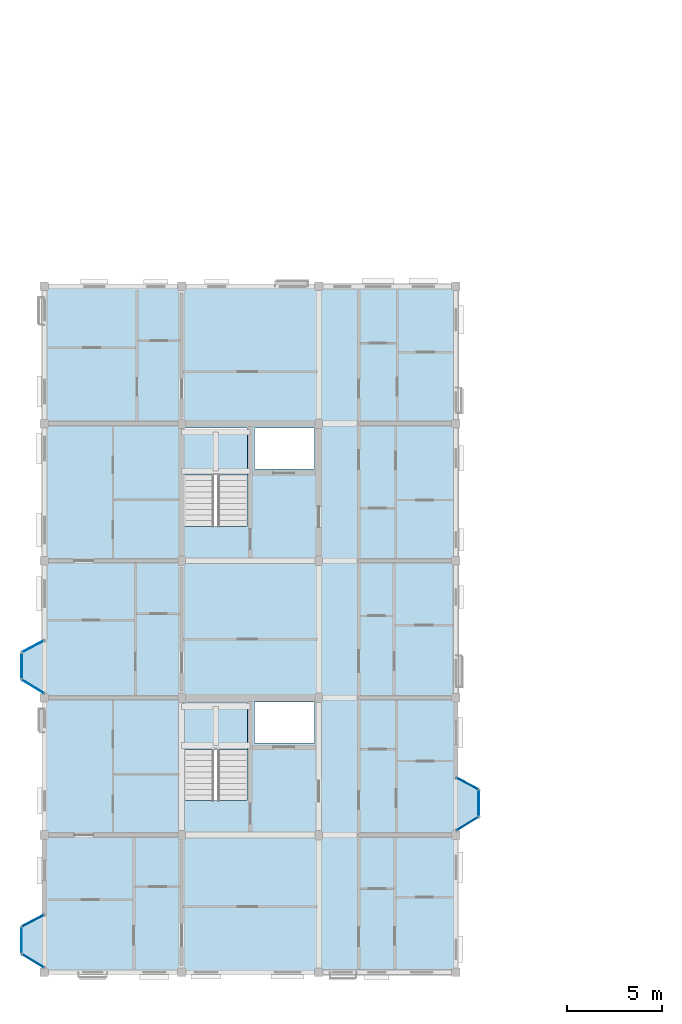
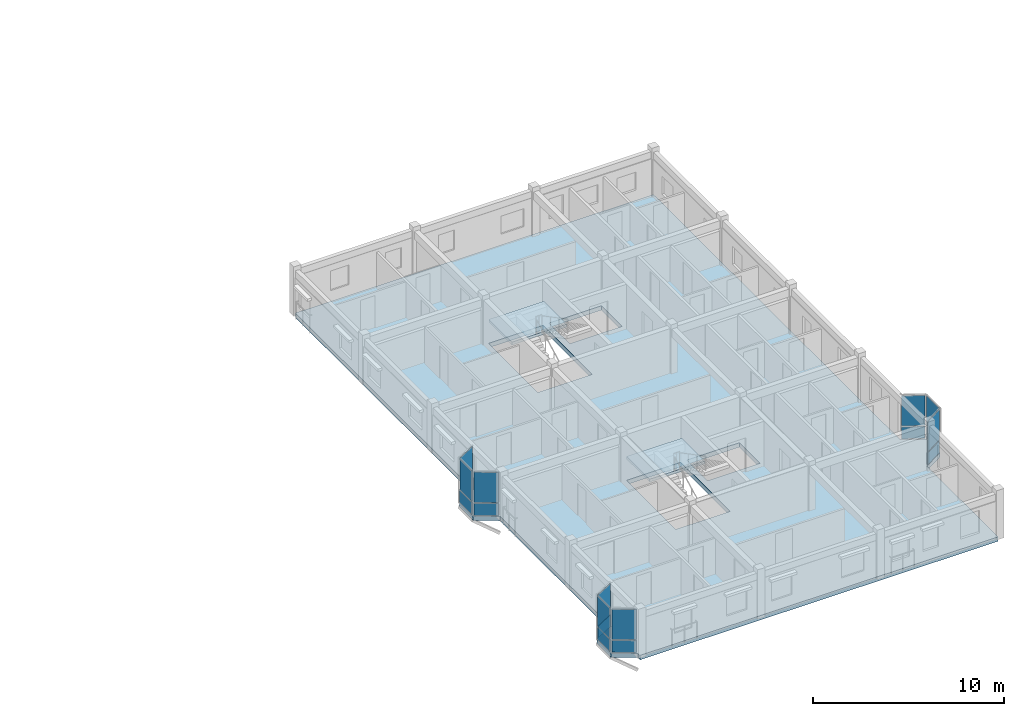
# One storey, part 14 of 28: 18 plates, 3 slabs, 11 elements without a shape of their own.
"""IFC4 building model written with IfcOpenShell, lengths in metres."""

from ifc_helpers import new_model, si_unit, direction, frame, origin, origin_2d, place, context, subcontext, project, spatial, polyline, rectangle, outline, extrude, material, layer, layer_set, type_object, element, aggregate, save


model = new_model("IFC4")

# Units and contexts
model_context = context("Model", 3, precision=1e-05, world=origin(), true_north=direction((0.0, 1.0)))
body_context = subcontext(model_context, "Body", "Model", "MODEL_VIEW")
ifc_project = project(units=[si_unit("LENGTHUNIT", "METRE"), si_unit("AREAUNIT", "SQUARE_METRE"), si_unit("VOLUMEUNIT", "CUBIC_METRE"), si_unit("PLANEANGLEUNIT", "RADIAN"), si_unit("MASSUNIT", "GRAM", prefix="KILO"), si_unit("THERMODYNAMICTEMPERATUREUNIT", "KELVIN"), si_unit("POWERUNIT", "WATT")], contexts=[model_context])

# Site, building, storey
site_placement = place(None, origin())
site = spatial("IfcSite", under=ifc_project, at=site_placement, CompositionType="ELEMENT")
building_placement = place(site_placement, origin())
building = spatial("IfcBuilding", under=site, at=building_placement, Name="Tavuni Mirador Residences", CompositionType="ELEMENT")
storey_placement = place(building_placement, frame((0.0, 0.0, 39.14990234375)))
storey = spatial("IfcBuildingStorey", under=building, at=storey_placement, Name="L12", CompositionType="ELEMENT", Elevation=39.14990234375)

# Curtain wall, plate
ifc_material_1 = material(Name="Anodised aluminium", Category="aluminium")
ifc_layer_1 = layer(ifc_material_1, 0.1650390625, Name="Anodised aluminium", Category="aluminium")
ifc_layer_set_1 = layer_set([ifc_layer_1], Name="Anodised aluminium")
curtain_wall_type_1 = type_object("IfcCurtainWallType", Name="CWT-MIR-A", PredefinedType="NOTDEFINED", material=ifc_layer_set_1)
curtain_wall_1_placement = place(storey_placement, origin())
curtain_wall_1 = element("IfcCurtainWall", 1, at=curtain_wall_1_placement, inside=storey, type_object=curtain_wall_type_1, Name="CW-MIR-A-W2-L12-M1", PredefinedType="NOTDEFINED")
ifc_material_2 = material(Name="Laminated solar-control glass", Category="glass")
ifc_layer_2 = layer(ifc_material_2, 0.02392578125, Name="Laminated solar-control glass", Category="glass")
ifc_layer_set_2 = layer_set([ifc_layer_2], Name="Laminated solar-control glass")
plate_type_1 = type_object("IfcPlateType", Name="CWP-GL24", PredefinedType="CURTAIN_PANEL", material=ifc_layer_set_2)
plate_1_placement = place(storey_placement, frame((3.0, 24.300048828125, 0.88037109375), z_axis=(0.0, 0.0, 1.0), x_axis=(-0.882352941175, -0.470588235296, 0.0)))
plate_1 = element("IfcPlate", 2, at=plate_1_placement, type_object=plate_type_1, Name="CW-01 panel 1.2", PredefinedType="CURTAIN_PANEL", context=body_context, shape_type="SweptSolid", body=[
    extrude(rectangle(XDim=1.239990234375, YDim=0.02392578125, at=origin_2d()), origin(), (0.0, 0.0, 1.0), 1.929931640625),
])

curtain_wall_2_placement = place(storey_placement, origin())
curtain_wall_2 = element("IfcCurtainWall", 3, at=curtain_wall_2_placement, inside=storey, type_object=curtain_wall_type_1, Name="CW-MIR-A-W1-L12-MF", PredefinedType="NOTDEFINED")
plate_2_placement = place(storey_placement, frame((2.39990234375, 8.8701171875, 0.88037109375), z_axis=(0.0, 0.0, 1.0), x_axis=(0.0, -1.0, 0.0)))
plate_2 = element("IfcPlate", 4, at=plate_2_placement, type_object=plate_type_1, Name="CW-01 panel 1.2", PredefinedType="CURTAIN_PANEL", context=body_context, shape_type="SweptSolid", body=[
    extrude(rectangle(XDim=1.300048828125, YDim=0.02392578125, at=origin_2d()), origin(), (0.0, 0.0, 1.0), 1.929931640625),
])

ifc_layer_3 = layer(ifc_material_1, 0.14990234375, Name="Anodised aluminium", Category="aluminium")
ifc_layer_set_3 = layer_set([ifc_layer_3], Name="Anodised aluminium")
curtain_wall_type_2 = type_object("IfcCurtainWallType", Name="CWT-MIR-B", PredefinedType="NOTDEFINED", material=ifc_layer_set_3)
curtain_wall_3_placement = place(storey_placement, origin())
curtain_wall_3 = element("IfcCurtainWall", 5, at=curtain_wall_3_placement, inside=storey, type_object=curtain_wall_type_2, Name="CW-MIR-A-EU-L12-M1", PredefinedType="NOTDEFINED")
ifc_layer_4 = layer(ifc_material_2, 0.028076171875, Name="Laminated solar-control glass", Category="glass")
ifc_layer_set_4 = layer_set([ifc_layer_4], Name="Laminated solar-control glass")
plate_type_2 = type_object("IfcPlateType", Name="CWP-GL28", PredefinedType="CURTAIN_PANEL", material=ifc_layer_set_4)
plate_3_placement = place(storey_placement, frame((25.800048828125, 14.992431640625, 0.88232421875), z_axis=(0.0, 0.0, 1.0), x_axis=(0.852754414845, 0.522312079088, 0.0)))
plate_3 = element("IfcPlate", 6, at=plate_3_placement, type_object=plate_type_2, Name="CW-02 panel 1.2", PredefinedType="CURTAIN_PANEL", context=body_context, shape_type="SweptSolid", body=[
    extrude(rectangle(XDim=1.277099609375, YDim=0.028076171875, at=origin_2d()), origin(), (0.0, 0.0, 1.0), 1.922607421875),
])

curtain_wall_4_placement = place(storey_placement, origin())
curtain_wall_4 = element("IfcCurtainWall", 7, at=curtain_wall_4_placement, inside=storey, type_object=curtain_wall_type_2, Name="CW-MIR-A-W2-L12-MF", PredefinedType="NOTDEFINED")
plate_4_placement = place(storey_placement, frame((2.39990234375, 23.27001953125, 0.88232421875), z_axis=(0.0, 0.0, 1.0), x_axis=(0.0, -1.0, 0.0)))
plate_4 = element("IfcPlate", 8, at=plate_4_placement, type_object=plate_type_2, Name="CW-02 panel 1.2", PredefinedType="CURTAIN_PANEL", context=body_context, shape_type="SweptSolid", body=[
    extrude(rectangle(XDim=1.2900390625, YDim=0.028076171875, at=origin_2d()), origin(), (0.0, 0.0, 1.0), 1.922607421875),
])

curtain_wall_5_placement = place(storey_placement, origin())
curtain_wall_5 = element("IfcCurtainWall", 9, at=curtain_wall_5_placement, inside=storey, type_object=curtain_wall_type_2, Name="CW-MIR-A-W1-L12-M2", PredefinedType="NOTDEFINED")
plate_5_placement = place(storey_placement, frame((3.0, 7.79248046875, 0.88232421875), z_axis=(0.0, 0.0, 1.0), x_axis=(0.852754414845, -0.522312079088, 0.0)))
plate_5 = element("IfcPlate", 10, at=plate_5_placement, type_object=plate_type_2, Name="CW-02 panel 1.2", PredefinedType="CURTAIN_PANEL", context=body_context, shape_type="SweptSolid", body=[
    extrude(rectangle(XDim=1.277099609375, YDim=0.028076171875, at=origin_2d()), origin(), (0.0, 0.0, 1.0), 1.922607421875),
])

ifc_layer_5 = layer(ifc_material_1, 0.175048828125, Name="Anodised aluminium", Category="aluminium")
ifc_layer_set_5 = layer_set([ifc_layer_5], Name="Anodised aluminium")
curtain_wall_type_3 = type_object("IfcCurtainWallType", Name="CWT-MIR-C", PredefinedType="NOTDEFINED", material=ifc_layer_set_5)
curtain_wall_6_placement = place(storey_placement, origin())
curtain_wall_6 = element("IfcCurtainWall", 11, at=curtain_wall_6_placement, inside=storey, type_object=curtain_wall_type_3, Name="CW-MIR-A-EU-L12-MF", PredefinedType="NOTDEFINED")
ifc_layer_6 = layer(ifc_material_2, 0.031982421875, Name="Laminated solar-control glass", Category="glass")
ifc_layer_set_6 = layer_set([ifc_layer_6], Name="Laminated solar-control glass")
plate_type_3 = type_object("IfcPlateType", Name="CWP-GL32", PredefinedType="CURTAIN_PANEL", material=ifc_layer_set_6)
plate_6_placement = place(storey_placement, frame((26.39990234375, 16.070068359375, 0.88037109375), z_axis=(0.0, 0.0, 1.0), x_axis=(0.0, 1.0, 0.0)))
plate_6 = element("IfcPlate", 12, at=plate_6_placement, type_object=plate_type_3, Name="CW-03 panel 1.2", PredefinedType="CURTAIN_PANEL", context=body_context, shape_type="SweptSolid", body=[
    extrude(rectangle(XDim=1.300048828125, YDim=0.031982421875, at=origin_2d()), origin(), (0.0, 0.0, 1.0), 1.929931640625),
])

curtain_wall_7_placement = place(storey_placement, origin())
curtain_wall_7 = element("IfcCurtainWall", 13, at=curtain_wall_7_placement, inside=storey, type_object=curtain_wall_type_3, Name="CW-MIR-A-W2-L12-M2", PredefinedType="NOTDEFINED")
plate_7_placement = place(storey_placement, frame((3.0, 22.1923828125, 0.88037109375), z_axis=(0.0, 0.0, 1.0), x_axis=(0.852754414845, -0.522312079088, 0.0)))
plate_7 = element("IfcPlate", 14, at=plate_7_placement, type_object=plate_type_3, Name="CW-03 panel 1.2", PredefinedType="CURTAIN_PANEL", context=body_context, shape_type="SweptSolid", body=[
    extrude(rectangle(XDim=1.287109375, YDim=0.031982421875, at=origin_2d()), origin(), (0.0, 0.0, 1.0), 1.929931640625),
])

ifc_layer_7 = layer(ifc_material_1, 0.159912109375, Name="Anodised aluminium", Category="aluminium")
ifc_layer_set_7 = layer_set([ifc_layer_7], Name="Anodised aluminium")
curtain_wall_type_4 = type_object("IfcCurtainWallType", Name="CWT-MIR-D", PredefinedType="NOTDEFINED", material=ifc_layer_set_7)
curtain_wall_8_placement = place(storey_placement, origin())
curtain_wall_8 = element("IfcCurtainWall", 15, at=curtain_wall_8_placement, inside=storey, type_object=curtain_wall_type_4, Name="CW-MIR-A-EU-L12-M2", PredefinedType="NOTDEFINED")
ifc_layer_8 = layer(ifc_material_2, 0.035888671875, Name="Laminated solar-control glass", Category="glass")
ifc_layer_set_8 = layer_set([ifc_layer_8], Name="Laminated solar-control glass")
plate_type_4 = type_object("IfcPlateType", Name="CWP-GL36", PredefinedType="CURTAIN_PANEL", material=ifc_layer_set_8)
plate_8_placement = place(storey_placement, frame((25.800048828125, 17.10009765625, 0.88232421875), z_axis=(0.0, 0.0, 1.0), x_axis=(-0.882352941175, 0.470588235296, 0.0)))
plate_8 = element("IfcPlate", 16, at=plate_8_placement, type_object=plate_type_4, Name="CW-04 panel 1.2", PredefinedType="CURTAIN_PANEL", context=body_context, shape_type="SweptSolid", body=[
    extrude(rectangle(XDim=1.22998046875, YDim=0.035888671875, at=origin_2d()), origin(), (0.0, 0.0, 1.0), 1.922607421875),
])

curtain_wall_9_placement = place(storey_placement, origin())
curtain_wall_9 = element("IfcCurtainWall", 17, at=curtain_wall_9_placement, inside=storey, type_object=curtain_wall_type_4, Name="CW-MIR-A-W1-L12-M1", PredefinedType="NOTDEFINED")
plate_9_placement = place(storey_placement, frame((3.0, 9.89990234375, 0.88232421875), z_axis=(0.0, 0.0, 1.0), x_axis=(-0.882352941175, -0.470588235296, 0.0)))
plate_9 = element("IfcPlate", 18, at=plate_9_placement, type_object=plate_type_4, Name="CW-04 panel 1.2", PredefinedType="CURTAIN_PANEL", context=body_context, shape_type="SweptSolid", body=[
    extrude(rectangle(XDim=1.22998046875, YDim=0.035888671875, at=origin_2d()), origin(), (0.0, 0.0, 1.0), 1.922607421875),
])

# Plate
ifc_material_3 = material(Name="Ceramic trencadis mosaic panel", Category="masonry")
ifc_layer_9 = layer(ifc_material_3, 0.0419921875, Name="Ceramic trencadis mosaic panel", Category="masonry")
ifc_layer_set_9 = layer_set([ifc_layer_9], Name="Ceramic trencadis mosaic panel")
plate_type_5 = type_object("IfcPlateType", Name="CWP-SP42", PredefinedType="CURTAIN_PANEL", material=ifc_layer_set_9)
plate_10_placement = place(storey_placement, frame((26.39990234375, 16.070068359375, 0.06005859375), z_axis=(0.0, 0.0, 1.0), x_axis=(0.0, 1.0, 0.0)))
plate_10 = element("IfcPlate", 19, at=plate_10_placement, type_object=plate_type_5, Name="CW-03 panel 1.1", PredefinedType="CURTAIN_PANEL", context=body_context, shape_type="SweptSolid", body=[
    extrude(rectangle(XDim=1.300048828125, YDim=0.0419921875, at=origin_2d()), origin(), (0.0, 0.0, 1.0), 0.760009765625),
])

aggregate(curtain_wall_6, [plate_10, plate_6])

plate_11_placement = place(storey_placement, frame((3.0, 24.300048828125, 0.06005859375), z_axis=(0.0, 0.0, 1.0), x_axis=(-0.882352941175, -0.470588235296, 0.0)))
plate_11 = element("IfcPlate", 20, at=plate_11_placement, type_object=plate_type_5, Name="CW-01 panel 1.1", PredefinedType="CURTAIN_PANEL", context=body_context, shape_type="SweptSolid", body=[
    extrude(rectangle(XDim=1.239990234375, YDim=0.0419921875, at=origin_2d()), origin(), (0.0, 0.0, 1.0), 0.760009765625),
])

aggregate(curtain_wall_1, [plate_11, plate_1])

plate_12_placement = place(storey_placement, frame((3.0, 22.1923828125, 0.06005859375), z_axis=(0.0, 0.0, 1.0), x_axis=(0.852754414845, -0.522312079088, 0.0)))
plate_12 = element("IfcPlate", 21, at=plate_12_placement, type_object=plate_type_5, Name="CW-03 panel 1.1", PredefinedType="CURTAIN_PANEL", context=body_context, shape_type="SweptSolid", body=[
    extrude(rectangle(XDim=1.287109375, YDim=0.0419921875, at=origin_2d()), origin(), (0.0, 0.0, 1.0), 0.760009765625),
])

aggregate(curtain_wall_7, [plate_12, plate_7])

plate_13_placement = place(storey_placement, frame((2.39990234375, 8.8701171875, 0.06005859375), z_axis=(0.0, 0.0, 1.0), x_axis=(0.0, -1.0, 0.0)))
plate_13 = element("IfcPlate", 22, at=plate_13_placement, type_object=plate_type_5, Name="CW-01 panel 1.1", PredefinedType="CURTAIN_PANEL", context=body_context, shape_type="SweptSolid", body=[
    extrude(rectangle(XDim=1.300048828125, YDim=0.0419921875, at=origin_2d()), origin(), (0.0, 0.0, 1.0), 0.760009765625),
])

aggregate(curtain_wall_2, [plate_13, plate_2])

ifc_layer_10 = layer(ifc_material_3, 0.048095703125, Name="Ceramic trencadis mosaic panel", Category="masonry")
ifc_layer_set_10 = layer_set([ifc_layer_10], Name="Ceramic trencadis mosaic panel")
plate_type_6 = type_object("IfcPlateType", Name="CWP-SP48", PredefinedType="CURTAIN_PANEL", material=ifc_layer_set_10)
plate_14_placement = place(storey_placement, frame((25.800048828125, 14.992431640625, 0.065185546875), z_axis=(0.0, 0.0, 1.0), x_axis=(0.852754414845, 0.522312079088, 0.0)))
plate_14 = element("IfcPlate", 23, at=plate_14_placement, type_object=plate_type_6, Name="CW-02 panel 1.1", PredefinedType="CURTAIN_PANEL", context=body_context, shape_type="SweptSolid", body=[
    extrude(rectangle(XDim=1.277099609375, YDim=0.048095703125, at=origin_2d()), origin(), (0.0, 0.0, 1.0), 0.75244140625),
])

aggregate(curtain_wall_3, [plate_14, plate_3])

plate_15_placement = place(storey_placement, frame((25.800048828125, 17.10009765625, 0.065185546875), z_axis=(0.0, 0.0, 1.0), x_axis=(-0.882352941175, 0.470588235296, 0.0)))
plate_15 = element("IfcPlate", 24, at=plate_15_placement, type_object=plate_type_6, Name="CW-04 panel 1.1", PredefinedType="CURTAIN_PANEL", context=body_context, shape_type="SweptSolid", body=[
    extrude(rectangle(XDim=1.22998046875, YDim=0.048095703125, at=origin_2d()), origin(), (0.0, 0.0, 1.0), 0.75244140625),
])

aggregate(curtain_wall_8, [plate_15, plate_8])

plate_16_placement = place(storey_placement, frame((2.39990234375, 23.27001953125, 0.065185546875), z_axis=(0.0, 0.0, 1.0), x_axis=(0.0, -1.0, 0.0)))
plate_16 = element("IfcPlate", 25, at=plate_16_placement, type_object=plate_type_6, Name="CW-02 panel 1.1", PredefinedType="CURTAIN_PANEL", context=body_context, shape_type="SweptSolid", body=[
    extrude(rectangle(XDim=1.2900390625, YDim=0.048095703125, at=origin_2d()), origin(), (0.0, 0.0, 1.0), 0.75244140625),
])

aggregate(curtain_wall_4, [plate_16, plate_4])

plate_17_placement = place(storey_placement, frame((3.0, 9.89990234375, 0.065185546875), z_axis=(0.0, 0.0, 1.0), x_axis=(-0.882352941175, -0.470588235296, 0.0)))
plate_17 = element("IfcPlate", 26, at=plate_17_placement, type_object=plate_type_6, Name="CW-04 panel 1.1", PredefinedType="CURTAIN_PANEL", context=body_context, shape_type="SweptSolid", body=[
    extrude(rectangle(XDim=1.22998046875, YDim=0.048095703125, at=origin_2d()), origin(), (0.0, 0.0, 1.0), 0.75244140625),
])

aggregate(curtain_wall_9, [plate_17, plate_9])

plate_18_placement = place(storey_placement, frame((3.0, 7.79248046875, 0.065185546875), z_axis=(0.0, 0.0, 1.0), x_axis=(0.852754414845, -0.522312079088, 0.0)))
plate_18 = element("IfcPlate", 27, at=plate_18_placement, type_object=plate_type_6, Name="CW-02 panel 1.1", PredefinedType="CURTAIN_PANEL", context=body_context, shape_type="SweptSolid", body=[
    extrude(rectangle(XDim=1.277099609375, YDim=0.048095703125, at=origin_2d()), origin(), (0.0, 0.0, 1.0), 0.75244140625),
])

aggregate(curtain_wall_5, [plate_18, plate_5])

# Slab
ifc_material_4 = material(Name="Prestressed concrete C45/55", Category="concrete")
ifc_layer_11 = layer(ifc_material_4, 0.280029296875, Name="Prestressed concrete C45/55", Category="concrete")
ifc_layer_set_11 = layer_set([ifc_layer_11], Name="Prestressed concrete C45/55")
slab_type_1 = type_object("IfcSlabType", Name="SLT-FLR280", PredefinedType="FLOOR", material=ifc_layer_set_11)
slab_1_placement = place(storey_placement, frame((0.0, 0.0, -0.27978515625)))
element("IfcSlab", 28, at=slab_1_placement, inside=storey, type_object=slab_type_1, Name="SLB-BLK-A-L12", PredefinedType="FLOOR", context=body_context, shape_type="SweptSolid", body=[
    extrude(outline(polyline([(3.60009765625, 7.199951171875), (25.199951171875, 7.199951171875), (25.199951171875, 14.625), (26.39990234375, 15.360107421875), (26.39990234375, 16.780029296875), (25.199951171875, 17.419921875), (25.199951171875, 43.199951171875), (3.60009765625, 43.199951171875), (3.60009765625, 24.6201171875), (2.39990234375, 23.97998046875), (2.39990234375, 22.56005859375), (3.60009765625, 21.824951171875), (3.60009765625, 10.219970703125), (2.39990234375, 9.580078125), (2.39990234375, 8.159912109375), (3.60009765625, 7.425048828125), (3.60009765625, 7.199951171875)]), holes=[polyline([(10.9599609375, 16.2080078125), (14.239990234375, 16.2080078125), (14.239990234375, 21.360107421875), (10.9599609375, 21.360107421875), (10.9599609375, 16.2080078125)]), polyline([(14.6201171875, 19.219970703125), (17.780029296875, 19.219970703125), (17.780029296875, 21.3798828125), (14.6201171875, 21.3798828125), (14.6201171875, 19.219970703125)]), polyline([(10.9599609375, 30.60791015625), (14.239990234375, 30.60791015625), (14.239990234375, 35.760009765625), (10.9599609375, 35.760009765625), (10.9599609375, 30.60791015625)]), polyline([(14.6201171875, 33.6201171875), (17.780029296875, 33.6201171875), (17.780029296875, 35.780029296875), (14.6201171875, 35.780029296875), (14.6201171875, 33.6201171875)])]), origin(), (0.0, 0.0, 1.0), 0.27978515625),
])

# Stair, slab
ifc_material_5 = material(Name="Precast concrete C40/50", Category="concrete")
stair_type = type_object("IfcStairType", Name="STT-TYP", PredefinedType="HALF_TURN_STAIR", material=ifc_material_5)
stair_1_placement = place(storey_placement, origin())
stair_1 = element("IfcStair", 29, at=stair_1_placement, inside=storey, type_object=stair_type, Name="Protected exit stair ST1 (L12)", PredefinedType="HALF_TURN_STAIR")
ifc_layer_12 = layer(ifc_material_5, 0.179931640625, Name="Precast concrete C40/50", Category="concrete")
ifc_layer_set_12 = layer_set([ifc_layer_12], Name="Precast concrete C40/50")
slab_type_2 = type_object("IfcSlabType", Name="SLT-LND180", PredefinedType="LANDING", material=ifc_layer_set_12)
slab_2_placement = place(storey_placement, frame((0.0, 0.0, 1.39501953125)))
slab_2 = element("IfcSlab", 30, at=slab_2_placement, type_object=slab_type_2, Name="ST1 landing 1", PredefinedType="LANDING", context=body_context, shape_type="SweptSolid", body=[
    extrude(outline(polyline([(10.93994140625, 18.89208984375), (14.260009765625, 18.89208984375), (14.260009765625, 21.300048828125), (10.93994140625, 21.300048828125), (10.93994140625, 18.89208984375)])), origin(), (0.0, 0.0, 1.0), 0.18017578125),
])
aggregate(stair_1, [slab_2])

stair_2_placement = place(storey_placement, origin())
stair_2 = element("IfcStair", 31, at=stair_2_placement, inside=storey, type_object=stair_type, Name="Protected exit stair ST2 (L12)", PredefinedType="HALF_TURN_STAIR")
slab_3_placement = place(storey_placement, frame((0.0, 0.0, 1.39501953125)))
slab_3 = element("IfcSlab", 32, at=slab_3_placement, type_object=slab_type_2, Name="ST2 landing 1", PredefinedType="LANDING", context=body_context, shape_type="SweptSolid", body=[
    extrude(outline(polyline([(10.93994140625, 33.2919921875), (14.260009765625, 33.2919921875), (14.260009765625, 35.699951171875), (10.93994140625, 35.699951171875), (10.93994140625, 33.2919921875)])), origin(), (0.0, 0.0, 1.0), 0.18017578125),
])
aggregate(stair_2, [slab_3])

save(model, "model.ifc")
